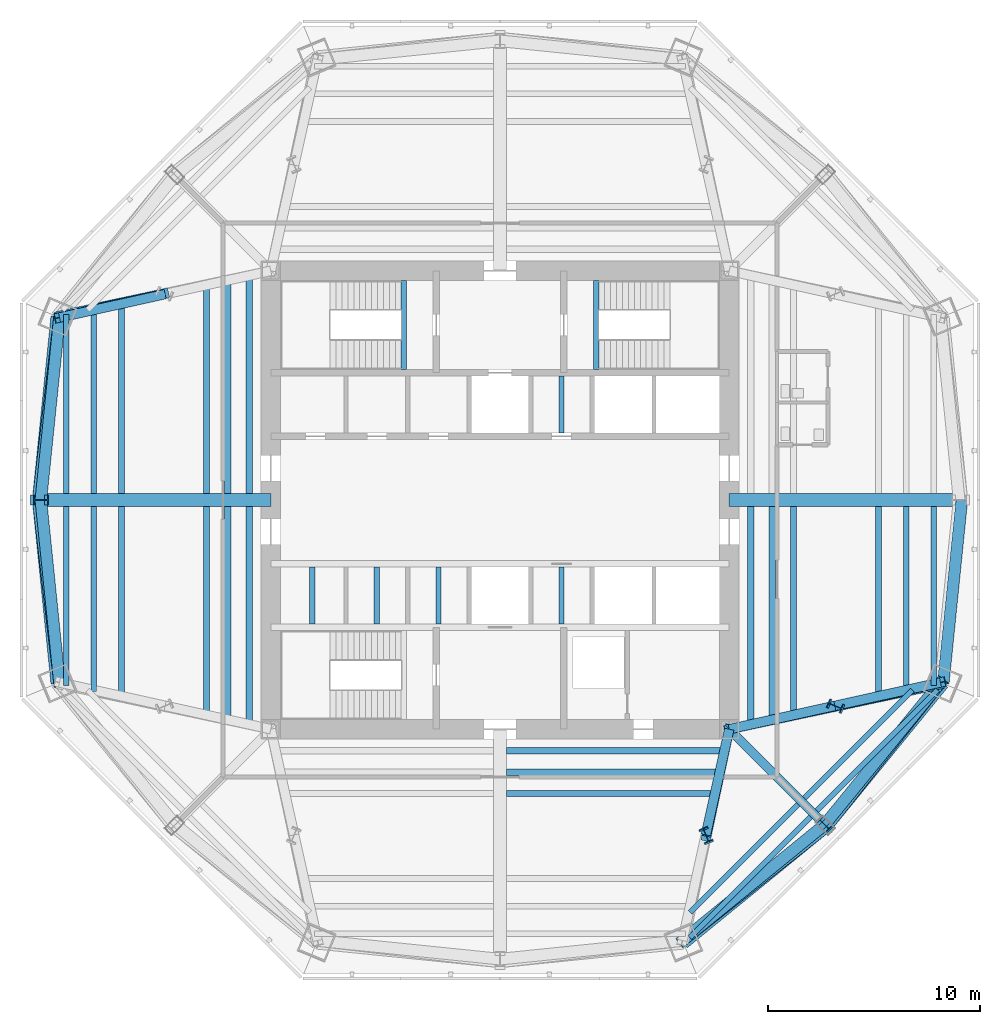
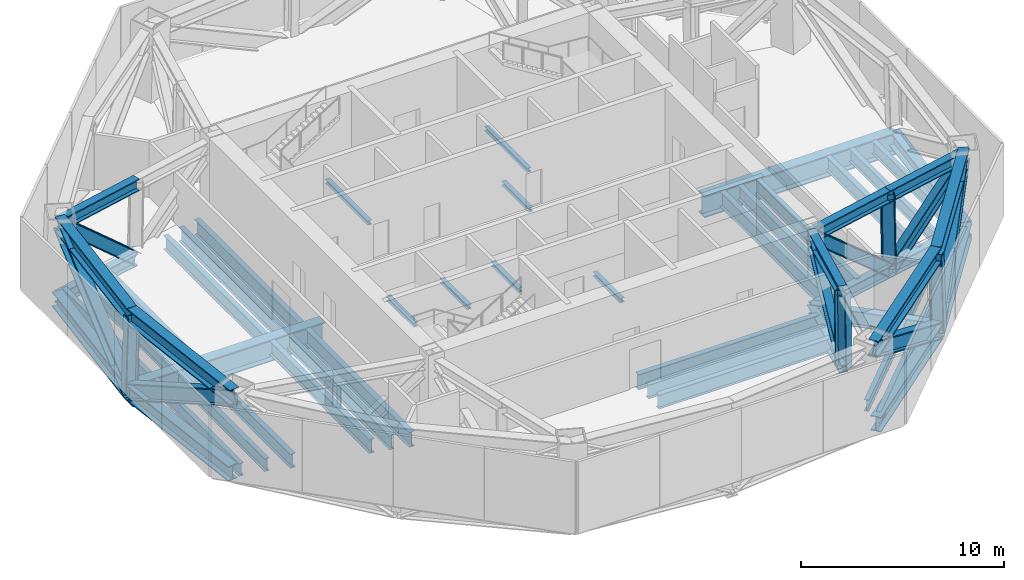
# One storey, part 2 of 10: 35 beams, 29 members.
"""IFC4 building model written with IfcOpenShell, lengths in metres."""

from ifc_helpers import new_model, si_unit, direction, frame, origin, origin_2d, place, context, subcontext, project, spatial, i_section, extrude, source, transform, mapped, material, material_profile, profile_set, type_object, type_shapes, element, save


model = new_model("IFC4")

# Units and contexts
model_context = context("Model", 3, precision=1e-05, world=origin(), true_north=direction((0.0, 1.0)))
body_context = subcontext(model_context, "Body", "Model", "MODEL_VIEW")
ifc_project = project(units=[si_unit("LENGTHUNIT", "METRE"), si_unit("AREAUNIT", "SQUARE_METRE"), si_unit("VOLUMEUNIT", "CUBIC_METRE"), si_unit("PLANEANGLEUNIT", "RADIAN"), si_unit("MASSUNIT", "GRAM", prefix="KILO")], contexts=[model_context])

# Site, building, storey
site_placement = place(None, origin())
site = spatial("IfcSite", under=ifc_project, at=site_placement, CompositionType="ELEMENT")
building_placement = place(site_placement, origin())
building = spatial("IfcBuilding", under=site, at=building_placement, Name="Mashrafa Tower", CompositionType="ELEMENT")
storey_placement = place(building_placement, frame((0.0, 0.0, 193.5)))
storey = spatial("IfcBuildingStorey", under=building, at=storey_placement, Name="L44", CompositionType="ELEMENT", Elevation=193.5)

# Beams
ifc_material_1 = material(Name="Steel ASTM A572 Gr 50", Category="steel")
ifc_material_profile_1 = material_profile(ifc_material_1, i_section(OverallWidth=0.60009765625, OverallDepth=1.300048828125, WebThickness=0.028076171875, FlangeThickness=0.06494140625, at=origin_2d()), Name="H1300X600X28X65")
ifc_profile_set_1 = profile_set([ifc_material_profile_1], Name="Steel ASTM A572 Gr 50")
beam_type_1 = type_object("IfcBeamType", Name="Beam H1300X600X28X65", PredefinedType="BEAM", material=ifc_profile_set_1)
for number, where, z_axis, x_axis, name in (
    (1, (-10.800048828125, 0.0, -0.89990234375), (-1.0, 0.0, 0.0), (0.0, -1.0, 0.0), "Radial girder L44 066"),
    (2, (10.800048828125, 0.0, -0.89990234375), (1.0, 0.0, 0.0), (0.0, 1.0, 0.0), "Radial girder L44 071"),
):
    element("IfcBeam", number, at=place(storey_placement, frame(where, z_axis=z_axis, x_axis=x_axis)), inside=storey, type_object=beam_type_1, Name=name, PredefinedType="BEAM", context=body_context, shape_type="SweptSolid", body=[
        extrude(i_section(OverallWidth=0.60009765625, OverallDepth=1.300048828125, WebThickness=0.028076171875, FlangeThickness=0.06494140625, at=origin_2d()), origin(), (0.0, 0.0, 1.0), 10.94775390625),
    ])
ifc_material_2 = material(Name="Steel ASTM A992", Category="steel")
ifc_material_profile_2 = material_profile(ifc_material_2, i_section(OverallWidth=0.256591796875, OverallDepth=0.693359375, WebThickness=0.014404296875, FlangeThickness=0.023681640625, FilletRadius=0.01513671875, at=origin_2d()), Name="W27X114")
ifc_profile_set_2 = profile_set([ifc_material_profile_2], Name="Steel ASTM A992")
beam_type_2 = type_object("IfcBeamType", Name="Beam W27X114", PredefinedType="BEAM", material=ifc_profile_set_2)
for number, where, z_axis, x_axis, name in (
    (3, (14.637451171875, -14.933837890625, -0.5966796875), (-0.707121966394, -0.707091595653, 0.0), (0.707091595653, -0.707121966394, 0.0), "Floor beam L44 055"),
    (4, (20.617919921875, -8.953125, -0.5966796875), (-0.707091595653, -0.707121966394, 0.0), (0.707121966394, -0.707091595653, 0.0), "Floor beam L44 064"),
):
    element("IfcBeam", number, at=place(storey_placement, frame(where, z_axis=z_axis, x_axis=x_axis)), inside=storey, type_object=beam_type_2, Name=name, PredefinedType="BEAM", context=body_context, shape_type="SweptSolid", body=[
        extrude(i_section(OverallWidth=0.256591796875, OverallDepth=0.693359375, WebThickness=0.014404296875, FlangeThickness=0.023681640625, FilletRadius=0.01513671875, at=origin_2d()), origin(), (0.0, 0.0, 1.0), 8.03857421875),
    ])
ifc_material_3 = material(Name="Steel ASTM A992", Category="steel")
ifc_material_profile_3 = material_profile(ifc_material_3, i_section(OverallWidth=0.25390625, OverallDepth=0.683349609375, WebThickness=0.012451171875, FlangeThickness=0.01904296875, FilletRadius=0.01513671875, at=origin_2d()), Name="W27X94")
ifc_profile_set_3 = profile_set([ifc_material_profile_3], Name="Steel ASTM A992")
beam_type_3 = type_object("IfcBeamType", Name="Beam W27X94", PredefinedType="BEAM", material=ifc_profile_set_3)
for number, where, z_axis, x_axis, name in (
    (5, (14.044921875, -14.34130859375, -0.591552734375), (-0.707123728633, -0.707089833334, 0.0), (0.707089833334, -0.707123728633, 0.0), "Floor beam L44 053"),
    (6, (19.434326171875, -8.95166015625, -0.591552734375), (-0.707089833334, -0.707123728633, 0.0), (0.707123728633, -0.707089833334, 0.0), "Floor beam L44 061"),
):
    element("IfcBeam", number, at=place(storey_placement, frame(where, z_axis=z_axis, x_axis=x_axis)), inside=storey, type_object=beam_type_3, Name=name, PredefinedType="BEAM", context=body_context, shape_type="SweptSolid", body=[
        extrude(i_section(OverallWidth=0.25390625, OverallDepth=0.683349609375, WebThickness=0.012451171875, FlangeThickness=0.01904296875, FilletRadius=0.01513671875, at=origin_2d()), origin(), (0.0, 0.0, 1.0), 7.202880859375),
    ])
ifc_material_4 = material(Name="Steel ASTM A992", Category="steel")
ifc_material_profile_4 = material_profile(ifc_material_4, i_section(OverallWidth=0.2666015625, OverallDepth=0.761962890625, WebThickness=0.014404296875, FlangeThickness=0.021484375, FilletRadius=0.0166015625, at=origin_2d()), Name="W30X116")
ifc_profile_set_4 = profile_set([ifc_material_profile_4], Name="Steel ASTM A992")
beam_type_4 = type_object("IfcBeamType", Name="Beam W30X116", PredefinedType="BEAM", material=ifc_profile_set_4)
for number, where, z_axis, x_axis, name in (
    (7, (-20.443603515625, -8.735595703125, -0.631103515625), (0.0, 1.0, 0.0), (-1.0, 0.0, 0.0), "Floor beam L44 002"),
    (8, (-20.443603515625, 0.300048828125, -0.631103515625), (0.0, 1.0, 0.0), (-1.0, 0.0, 0.0), "Floor beam L44 003"),
):
    element("IfcBeam", number, at=place(storey_placement, frame(where, z_axis=z_axis, x_axis=x_axis)), inside=storey, type_object=beam_type_4, Name=name, PredefinedType="BEAM", context=body_context, shape_type="SweptSolid", body=[
        extrude(i_section(OverallWidth=0.2666015625, OverallDepth=0.761962890625, WebThickness=0.014404296875, FlangeThickness=0.021484375, FilletRadius=0.0166015625, at=origin_2d()), origin(), (0.0, 0.0, 1.0), 8.435546875),
    ])
for number, where, z_axis, x_axis, name in (
    (9, (-19.139404296875, -9.014892578125, -0.631103515625), (0.0, 1.0, 0.0), (-1.0, 0.0, 0.0), "Floor beam L44 005"),
    (10, (-19.139404296875, 0.300048828125, -0.631103515625), (0.0, 1.0, 0.0), (-1.0, 0.0, 0.0), "Floor beam L44 006"),
    (11, (19.139404296875, -0.300048828125, -0.631103515625), (0.0, -1.0, 0.0), (1.0, 0.0, 0.0), "Floor beam L44 059"),
):
    element("IfcBeam", number, at=place(storey_placement, frame(where, z_axis=z_axis, x_axis=x_axis)), inside=storey, type_object=beam_type_4, Name=name, PredefinedType="BEAM", context=body_context, shape_type="SweptSolid", body=[
        extrude(i_section(OverallWidth=0.2666015625, OverallDepth=0.761962890625, WebThickness=0.014404296875, FlangeThickness=0.021484375, FilletRadius=0.0166015625, at=origin_2d()), origin(), (0.0, 0.0, 1.0), 8.71484375),
    ])
beam_1_placement = place(storey_placement, frame((20.443603515625, -0.300048828125, -0.631103515625), z_axis=(0.0, -1.0, 0.0), x_axis=(1.0, 0.0, 0.0)))
element("IfcBeam", 12, at=beam_1_placement, inside=storey, type_object=beam_type_4, Name="Floor beam L44 062", PredefinedType="BEAM", context=body_context, shape_type="SweptSolid", body=[
    extrude(i_section(OverallWidth=0.2666015625, OverallDepth=0.761962890625, WebThickness=0.014404296875, FlangeThickness=0.021484375, FilletRadius=0.0166015625, at=origin_2d()), origin(), (0.0, 0.0, 1.0), 8.435546875),
])
ifc_material_5 = material(Name="Steel ASTM A992", Category="steel")
ifc_material_profile_5 = material_profile(ifc_material_5, i_section(OverallWidth=0.2919921875, OverallDepth=0.8408203125, WebThickness=0.0146484375, FlangeThickness=0.021728515625, FilletRadius=0.017333984375, at=origin_2d()), Name="W33X130")
ifc_profile_set_5 = profile_set([ifc_material_profile_5], Name="Steel ASTM A992")
beam_type_5 = type_object("IfcBeamType", Name="Beam W33X130", PredefinedType="BEAM", material=ifc_profile_set_5)
for number, where, z_axis, x_axis, name in (
    (13, (-17.8349609375, -9.294189453125, -0.67041015625), (0.0, 1.0, 0.0), (-1.0, 0.0, 0.0), "Floor beam L44 007"),
    (14, (-17.8349609375, 0.300048828125, -0.67041015625), (0.0, 1.0, 0.0), (-1.0, 0.0, 0.0), "Floor beam L44 008"),
    (15, (17.8349609375, -0.300048828125, -0.67041015625), (0.0, -1.0, 0.0), (1.0, 0.0, 0.0), "Floor beam L44 057"),
):
    element("IfcBeam", number, at=place(storey_placement, frame(where, z_axis=z_axis, x_axis=x_axis)), inside=storey, type_object=beam_type_5, Name=name, PredefinedType="BEAM", context=body_context, shape_type="SweptSolid", body=[
        extrude(i_section(OverallWidth=0.2919921875, OverallDepth=0.8408203125, WebThickness=0.0146484375, FlangeThickness=0.021728515625, FilletRadius=0.017333984375, at=origin_2d()), origin(), (0.0, 0.0, 1.0), 8.994140625),
    ])
ifc_material_6 = material(Name="Steel ASTM A992", Category="steel")
ifc_material_profile_6 = material_profile(ifc_material_6, i_section(OverallWidth=0.2919921875, OverallDepth=0.845703125, WebThickness=0.015380859375, FlangeThickness=0.0244140625, FilletRadius=0.017333984375, at=origin_2d()), Name="W33X141")
ifc_profile_set_6 = profile_set([ifc_material_profile_6], Name="Steel ASTM A992")
beam_type_6 = type_object("IfcBeamType", Name="Beam W33X141", PredefinedType="BEAM", material=ifc_profile_set_6)
for number, where, z_axis, x_axis, name in (
    (16, (-13.8349609375, -10.150390625, -0.6728515625), (0.0, 1.0, 0.0), (-1.0, 0.0, 0.0), "Floor beam L44 013"),
    (17, (-13.8349609375, 0.300048828125, -0.6728515625), (0.0, 1.0, 0.0), (-1.0, 0.0, 0.0), "Floor beam L44 014"),
):
    element("IfcBeam", number, at=place(storey_placement, frame(where, z_axis=z_axis, x_axis=x_axis)), inside=storey, type_object=beam_type_6, Name=name, PredefinedType="BEAM", context=body_context, shape_type="SweptSolid", body=[
        extrude(i_section(OverallWidth=0.2919921875, OverallDepth=0.845703125, WebThickness=0.015380859375, FlangeThickness=0.0244140625, FilletRadius=0.017333984375, at=origin_2d()), origin(), (0.0, 0.0, 1.0), 9.850341796875),
    ])
for number, where, z_axis, x_axis, name in (
    (18, (-12.8232421875, -10.366943359375, -0.6728515625), (0.0, 1.0, 0.0), (-1.0, 0.0, 0.0), "Floor beam L44 015"),
    (19, (-12.8232421875, 0.300048828125, -0.6728515625), (0.0, 1.0, 0.0), (-1.0, 0.0, 0.0), "Floor beam L44 016"),
):
    element("IfcBeam", number, at=place(storey_placement, frame(where, z_axis=z_axis, x_axis=x_axis)), inside=storey, type_object=beam_type_6, Name=name, PredefinedType="BEAM", context=body_context, shape_type="SweptSolid", body=[
        extrude(i_section(OverallWidth=0.2919921875, OverallDepth=0.845703125, WebThickness=0.015380859375, FlangeThickness=0.0244140625, FilletRadius=0.017333984375, at=origin_2d()), origin(), (0.0, 0.0, 1.0), 10.06689453125),
    ])
beam_2_placement = place(storey_placement, frame((10.150390625, -13.8349609375, -0.6728515625), z_axis=(-1.0, 0.0, 0.0), x_axis=(0.0, -1.0, 0.0)))
element("IfcBeam", 20, at=beam_2_placement, inside=storey, type_object=beam_type_6, Name="Floor beam L44 044", PredefinedType="BEAM", context=body_context, shape_type="SweptSolid", body=[
    extrude(i_section(OverallWidth=0.2919921875, OverallDepth=0.845703125, WebThickness=0.015380859375, FlangeThickness=0.0244140625, FilletRadius=0.017333984375, at=origin_2d()), origin(), (0.0, 0.0, 1.0), 9.850341796875),
])
for number, where, z_axis, x_axis, name in (
    (21, (10.366943359375, -12.8232421875, -0.6728515625), (-1.0, 0.0, 0.0), (0.0, -1.0, 0.0), "Floor beam L44 045"),
    (22, (12.8232421875, -0.300048828125, -0.6728515625), (0.0, -1.0, 0.0), (1.0, 0.0, 0.0), "Floor beam L44 049"),
):
    element("IfcBeam", number, at=place(storey_placement, frame(where, z_axis=z_axis, x_axis=x_axis)), inside=storey, type_object=beam_type_6, Name=name, PredefinedType="BEAM", context=body_context, shape_type="SweptSolid", body=[
        extrude(i_section(OverallWidth=0.2919921875, OverallDepth=0.845703125, WebThickness=0.015380859375, FlangeThickness=0.0244140625, FilletRadius=0.017333984375, at=origin_2d()), origin(), (0.0, 0.0, 1.0), 10.06689453125),
    ])
beam_3_placement = place(storey_placement, frame((13.8349609375, -0.300048828125, -0.6728515625), z_axis=(0.0, -1.0, 0.0), x_axis=(1.0, 0.0, 0.0)))
element("IfcBeam", 23, at=beam_3_placement, inside=storey, type_object=beam_type_6, Name="Floor beam L44 051", PredefinedType="BEAM", context=body_context, shape_type="SweptSolid", body=[
    extrude(i_section(OverallWidth=0.2919921875, OverallDepth=0.845703125, WebThickness=0.015380859375, FlangeThickness=0.0244140625, FilletRadius=0.017333984375, at=origin_2d()), origin(), (0.0, 0.0, 1.0), 9.850341796875),
])
ifc_material_7 = material(Name="Steel ASTM A992", Category="steel")
ifc_material_profile_7 = material_profile(ifc_material_7, i_section(OverallWidth=0.3046875, OverallDepth=0.911865234375, WebThickness=0.015869140625, FlangeThickness=0.02392578125, FilletRadius=0.01904296875, at=origin_2d()), Name="W36X150")
ifc_profile_set_7 = profile_set([ifc_material_profile_7], Name="Steel ASTM A992")
beam_type_7 = type_object("IfcBeamType", Name="Beam W36X150", PredefinedType="BEAM", material=ifc_profile_set_7)
for number, where, z_axis, x_axis, name in (
    (24, (-11.811767578125, -10.58349609375, -0.705810546875), (0.0, 1.0, 0.0), (-1.0, 0.0, 0.0), "Floor beam L44 017"),
    (25, (-11.811767578125, 0.300048828125, -0.705810546875), (0.0, 1.0, 0.0), (-1.0, 0.0, 0.0), "Floor beam L44 018"),
    (26, (10.58349609375, -11.811767578125, -0.705810546875), (-1.0, 0.0, 0.0), (0.0, -1.0, 0.0), "Floor beam L44 046"),
    (27, (11.811767578125, -0.300048828125, -0.705810546875), (0.0, -1.0, 0.0), (1.0, 0.0, 0.0), "Floor beam L44 047"),
):
    element("IfcBeam", number, at=place(storey_placement, frame(where, z_axis=z_axis, x_axis=x_axis)), inside=storey, type_object=beam_type_7, Name=name, PredefinedType="BEAM", context=body_context, shape_type="SweptSolid", body=[
        extrude(i_section(OverallWidth=0.3046875, OverallDepth=0.911865234375, WebThickness=0.015869140625, FlangeThickness=0.02392578125, FilletRadius=0.01904296875, at=origin_2d()), origin(), (0.0, 0.0, 1.0), 10.283447265625),
    ])
ifc_material_8 = material(Name="Steel ASTM A992", Category="steel")
ifc_material_profile_8 = material_profile(ifc_material_8, i_section(OverallWidth=0.419189453125, OverallDepth=0.927001953125, WebThickness=0.019287109375, FlangeThickness=0.031982421875, FilletRadius=0.020263671875, at=origin_2d()), Name="W36X231")
ifc_profile_set_8 = profile_set([ifc_material_profile_8], Name="Steel ASTM A992")
beam_type_8 = type_object("IfcBeamType", Name="Beam W36X231", PredefinedType="BEAM", material=ifc_profile_set_8)
beam_4_placement = place(storey_placement, frame((10.800048828125, -10.800048828125, -0.713623046875), z_axis=(0.707106781187, -0.707106781187, 0.0), x_axis=(0.707106781187, 0.707106781187, 0.0)))
element("IfcBeam", 28, at=beam_4_placement, inside=storey, type_object=beam_type_8, Name="Radial girder L44 070", PredefinedType="BEAM", context=body_context, shape_type="SweptSolid", body=[
    extrude(i_section(OverallWidth=0.419189453125, OverallDepth=0.927001953125, WebThickness=0.019287109375, FlangeThickness=0.031982421875, FilletRadius=0.020263671875, at=origin_2d()), origin(), (0.0, 0.0, 1.0), 6.474365234375),
])
ifc_material_9 = material(Name="Steel ASTM A992", Category="steel")
ifc_material_profile_9 = material_profile(ifc_material_9, i_section(OverallWidth=0.25390625, OverallDepth=0.25390625, WebThickness=0.008544921875, FlangeThickness=0.01416015625, FilletRadius=0.010009765625, at=origin_2d()), Name="W10X49")
ifc_profile_set_9 = profile_set([ifc_material_profile_9], Name="Steel ASTM A992")
beam_type_9 = type_object("IfcBeamType", Name="Hoistway beam W10X49", PredefinedType="BEAM", material=ifc_profile_set_9)
for number, where, z_axis, x_axis, name in (
    (29, (2.89990234375, 3.14990234375, -0.376953125), (0.0, 1.0, 0.0), (-1.0, 0.0, 0.0), "Hoistway beam L44 06"),
    (30, (2.89990234375, -5.85009765625, -0.376953125), (0.0, 1.0, 0.0), (-1.0, 0.0, 0.0), "Hoistway beam L44 07"),
    (31, (-8.85009765625, -5.85009765625, 2.27294921875), (0.0, 1.0, 0.0), (-1.0, 0.0, 0.0), "Hoistway beam under lift pit AL1"),
    (32, (-5.800048828125, -5.85009765625, 2.27294921875), (0.0, 1.0, 0.0), (-1.0, 0.0, 0.0), "Hoistway beam under lift pit AL2"),
    (33, (-2.89990234375, -5.85009765625, 2.27294921875), (0.0, 1.0, 0.0), (-1.0, 0.0, 0.0), "Hoistway beam under lift pit AL3"),
):
    element("IfcBeam", number, at=place(storey_placement, frame(where, z_axis=z_axis, x_axis=x_axis)), inside=storey, type_object=beam_type_9, Name=name, PredefinedType="BEAM", context=body_context, shape_type="SweptSolid", body=[
        extrude(i_section(OverallWidth=0.25390625, OverallDepth=0.25390625, WebThickness=0.008544921875, FlangeThickness=0.01416015625, FilletRadius=0.010009765625, at=origin_2d()), origin(), (0.0, 0.0, 1.0), 2.7001953125),
    ])
for number, where, z_axis, x_axis, name in (
    (34, (-4.530029296875, 6.14990234375, -0.376953125), (0.0, 1.0, 0.0), (-1.0, 0.0, 0.0), "Stair S1 landing beam L44"),
    (35, (4.530029296875, 6.14990234375, -0.376953125), (0.0, 1.0, 0.0), (-1.0, 0.0, 0.0), "Stair S2 landing beam L44"),
):
    element("IfcBeam", number, at=place(storey_placement, frame(where, z_axis=z_axis, x_axis=x_axis)), inside=storey, type_object=beam_type_9, Name=name, PredefinedType="BEAM", context=body_context, shape_type="SweptSolid", body=[
        extrude(i_section(OverallWidth=0.25390625, OverallDepth=0.25390625, WebThickness=0.008544921875, FlangeThickness=0.01416015625, FilletRadius=0.010009765625, at=origin_2d()), origin(), (0.0, 0.0, 1.0), 4.2001953125),
    ])

# Members
ifc_material_10 = material(Name="Steel ASTM A572 Gr 50", Category="steel")
ifc_material_profile_10 = material_profile(ifc_material_10, i_section(OverallWidth=0.449951171875, OverallDepth=0.699951171875, WebThickness=0.028076171875, FlangeThickness=0.044921875, at=origin_2d()), Name="H700X450X28X45")
ifc_profile_set_10 = profile_set([ifc_material_profile_10], Name="Steel ASTM A572 Gr 50")
member_type_1 = type_object("IfcMemberType", Name="Outrigger post H700X450X28X45", PredefinedType="POST", material=ifc_profile_set_10)
shared_shape_1 = source(origin(), body_context, "Body", "SweptSolid", [
    extrude(i_section(OverallWidth=0.449951171875, OverallDepth=0.699951171875, WebThickness=0.028076171875, FlangeThickness=0.044921875, at=origin_2d()), origin(), (0.0, 0.0, 1.0), 4.50048828125),
])
type_shapes(member_type_1, [shared_shape_1])
for number, where, z_axis, x_axis, name in (
    (36, (9.724853515625, -15.84130859375, -0.699951171875), (-0.005858687107, 0.014158493841, 0.999882599527), (-0.924016832422, -0.382351792726, 0.0), "Outrigger post MC7 L44"),
    (37, (15.84130859375, -9.724853515625, -0.699951171875), (-0.014158493841, 0.005858687107, 0.999882599527), (-0.382351792726, -0.924016832422, 0.0), "Outrigger post MC8 L44"),
):
    element("IfcMember", number, at=place(storey_placement, frame(where, z_axis=z_axis, x_axis=x_axis)), inside=storey, type_object=member_type_1, Name=name, PredefinedType="POST", context=body_context, shape_type="MappedRepresentation", body=[
        mapped(shared_shape_1, transform((0.0, 0.0, 0.0))),
    ])
ifc_material_11 = material(Name="Steel ASTM A572 Gr 50", Category="steel")
ifc_material_profile_11 = material_profile(ifc_material_11, i_section(OverallWidth=0.550048828125, OverallDepth=0.89990234375, WebThickness=0.034912109375, FlangeThickness=0.06005859375, at=origin_2d()), Name="H900X550X35X60")
ifc_profile_set_11 = profile_set([ifc_material_profile_11], Name="Steel ASTM A572 Gr 50")
member_type_2 = type_object("IfcMemberType", Name="Belt truss chord H900X550X35X60", PredefinedType="CHORD", material=ifc_profile_set_11)
shared_shape_2 = source(origin(), body_context, "Body", "SweptSolid", [
    extrude(i_section(OverallWidth=0.550048828125, OverallDepth=0.89990234375, WebThickness=0.034912109375, FlangeThickness=0.06005859375, at=origin_2d()), origin(), (0.0, 0.0, 1.0), 8.6943359375),
])
for number, where, z_axis, x_axis, name in (
    (38, (20.882568359375, -8.64990234375, -0.699951171875), (0.101004930083, 0.994885925169, 0.0), (-0.994885925169, 0.101004930083, 0.0), "Belt truss bottom chord east face L44 right"),
    (39, (-20.882568359375, 8.64990234375, -0.699951171875), (-0.101004930083, -0.994885925169, 0.0), (0.994885925169, -0.101004930083, 0.0), "Belt truss bottom chord west face L44 right"),
    (40, (-20.882568359375, -8.64990234375, -0.699951171875), (-0.101004930083, 0.994885925169, 0.0), (-0.994885925169, -0.101004930083, 0.0), "Belt truss bottom chord west face L44 left"),
    (41, (8.64990234375, -20.882568359375, -0.699951171875), (0.774913520364, 0.632067271702, 0.0), (-0.632067271702, 0.774913520364, 0.0), "Belt truss bottom chord south-east face L44 right"),
    (42, (20.882568359375, -8.64990234375, -0.699951171875), (-0.632067271702, -0.774913520364, 0.0), (0.774913520364, -0.632067271702, 0.0), "Belt truss bottom chord south-east face L44 left"),
):
    element("IfcMember", number, at=place(storey_placement, frame(where, z_axis=z_axis, x_axis=x_axis)), inside=storey, type_object=member_type_2, Name=name, PredefinedType="CHORD", context=body_context, shape_type="MappedRepresentation", body=[
        mapped(shared_shape_2, transform((0.0, 0.0, 0.0))),
    ])
shared_shape_3 = source(origin(), body_context, "Body", "SweptSolid", [
    extrude(i_section(OverallWidth=0.550048828125, OverallDepth=0.89990234375, WebThickness=0.034912109375, FlangeThickness=0.06005859375, at=origin_2d()), origin(), (0.0, 0.0, 1.0), 8.641845703125),
])
for number, where, z_axis, x_axis, name in (
    (43, (-20.755126953125, 8.59716796875, 3.800048828125), (-0.10161810826, -0.994823481867, 0.0), (0.994823481867, -0.10161810826, 0.0), "Belt truss top chord west face L44 right"),
    (44, (-20.755126953125, -8.59716796875, 3.800048828125), (-0.10161810826, 0.994823481867, 0.0), (-0.994823481867, -0.10161810826, 0.0), "Belt truss top chord west face L44 left"),
):
    element("IfcMember", number, at=place(storey_placement, frame(where, z_axis=z_axis, x_axis=x_axis)), inside=storey, type_object=member_type_2, Name=name, PredefinedType="CHORD", context=body_context, shape_type="MappedRepresentation", body=[
        mapped(shared_shape_3, transform((0.0, 0.0, 0.0))),
    ])
ifc_material_12 = material(Name="Steel ASTM A572 Gr 50", Category="steel")
ifc_material_profile_12 = material_profile(ifc_material_12, i_section(OverallWidth=0.449951171875, OverallDepth=0.699951171875, WebThickness=0.028076171875, FlangeThickness=0.044921875, at=origin_2d()), Name="H700X450X28X45")
ifc_profile_set_12 = profile_set([ifc_material_profile_12], Name="Steel ASTM A572 Gr 50")
member_type_3 = type_object("IfcMemberType", Name="Belt truss post H700X450X28X45", PredefinedType="POST", material=ifc_profile_set_12)
shared_shape_4 = source(origin(), body_context, "Body", "SweptSolid", [
    extrude(i_section(OverallWidth=0.449951171875, OverallDepth=0.699951171875, WebThickness=0.028076171875, FlangeThickness=0.044921875, at=origin_2d()), origin(), (0.0, 0.0, 1.0), 4.501708984375),
])
type_shapes(member_type_3, [shared_shape_4])
for number, where, z_axis, x_axis, name in (
    (45, (-21.7607421875, 0.0, -0.699951171875), (0.028308962314, 0.0, 0.999599221014), (0.0, 1.0, 0.0), "Belt truss post west face L44"),
    (46, (15.38720703125, -15.38720703125, -0.699951171875), (-0.02001151261, 0.02001151261, 0.999599459147), (-0.707106781187, -0.707106781187, 0.0), "Belt truss post south-east face L44"),
):
    element("IfcMember", number, at=place(storey_placement, frame(where, z_axis=z_axis, x_axis=x_axis)), inside=storey, type_object=member_type_3, Name=name, PredefinedType="POST", context=body_context, shape_type="MappedRepresentation", body=[
        mapped(shared_shape_4, transform((0.0, 0.0, 0.0))),
    ])
ifc_material_13 = material(Name="Steel ASTM A572 Gr 50", Category="steel")
ifc_material_profile_13 = material_profile(ifc_material_13, i_section(OverallWidth=0.550048828125, OverallDepth=0.89990234375, WebThickness=0.034912109375, FlangeThickness=0.06005859375, at=origin_2d()), Name="H900X550X35X60")
ifc_profile_set_13 = profile_set([ifc_material_profile_13], Name="Steel ASTM A572 Gr 50")
member_type_4 = type_object("IfcMemberType", Name="Belt truss diagonal H900X550X35X60", PredefinedType="BRACE", material=ifc_profile_set_13)
shared_shape_5 = source(origin(), body_context, "Body", "SweptSolid", [
    extrude(i_section(OverallWidth=0.550048828125, OverallDepth=0.89990234375, WebThickness=0.034912109375, FlangeThickness=0.06005859375, at=origin_2d()), origin(), (0.0, 0.0, 1.0), 9.755615234375),
])
for number, where, z_axis, x_axis, name in (
    (47, (-21.7607421875, 0.0, -0.699951171875), (0.103080370394, 0.881250828609, 0.461271519081), (-0.993228357408, 0.116178440511, 0.0), "Belt truss diagonal west face L44 right"),
    (48, (-21.7607421875, 0.0, -0.699951171875), (0.103080370394, -0.881250828609, 0.461271519081), (0.993228357408, 0.116178440511, 0.0), "Belt truss diagonal west face L44 left"),
):
    element("IfcMember", number, at=place(storey_placement, frame(where, z_axis=z_axis, x_axis=x_axis)), inside=storey, type_object=member_type_4, Name=name, PredefinedType="BRACE", context=body_context, shape_type="MappedRepresentation", body=[
        mapped(shared_shape_5, transform((0.0, 0.0, 0.0))),
    ])
shared_shape_6 = source(origin(), body_context, "Body", "SweptSolid", [
    extrude(i_section(OverallWidth=0.550048828125, OverallDepth=0.89990234375, WebThickness=0.034912109375, FlangeThickness=0.06005859375, at=origin_2d()), origin(), (0.0, 0.0, 1.0), 8.6416015625),
])
type_shapes(member_type_2, [shared_shape_2, shared_shape_3, shared_shape_6])
for number, where, z_axis, x_axis, name in (
    (49, (8.59716796875, -20.755126953125, 3.800048828125), (0.77530364143, 0.63158868228, 0.0), (-0.63158868228, 0.77530364143, 0.0), "Belt truss top chord south-east face L44 right"),
    (50, (20.755126953125, -8.59716796875, 3.800048828125), (-0.63158868228, -0.77530364143, 0.0), (0.77530364143, -0.63158868228, 0.0), "Belt truss top chord south-east face L44 left"),
):
    element("IfcMember", number, at=place(storey_placement, frame(where, z_axis=z_axis, x_axis=x_axis)), inside=storey, type_object=member_type_2, Name=name, PredefinedType="CHORD", context=body_context, shape_type="MappedRepresentation", body=[
        mapped(shared_shape_6, transform((0.0, 0.0, 0.0))),
    ])
shared_shape_7 = source(origin(), body_context, "Body", "SweptSolid", [
    extrude(i_section(OverallWidth=0.550048828125, OverallDepth=0.89990234375, WebThickness=0.034912109375, FlangeThickness=0.06005859375, at=origin_2d()), origin(), (0.0, 0.0, 1.0), 9.75537109375),
])
type_shapes(member_type_4, [shared_shape_5, shared_shape_7])
for number, where, z_axis, x_axis, name in (
    (51, (15.38720703125, -15.38720703125, -0.699951171875), (-0.696023776232, -0.550247187114, 0.46127967221), (0.62016817801, -0.78446888465, 0.0), "Belt truss diagonal south-east face L44 right"),
    (52, (15.38720703125, -15.38720703125, -0.699951171875), (0.550247187114, 0.696023776232, 0.46127967221), (-0.78446888465, 0.62016817801, 0.0), "Belt truss diagonal south-east face L44 left"),
):
    element("IfcMember", number, at=place(storey_placement, frame(where, z_axis=z_axis, x_axis=x_axis)), inside=storey, type_object=member_type_4, Name=name, PredefinedType="BRACE", context=body_context, shape_type="MappedRepresentation", body=[
        mapped(shared_shape_7, transform((0.0, 0.0, 0.0))),
    ])
ifc_material_14 = material(Name="Steel ASTM A572 Gr 50", Category="steel")
ifc_material_profile_14 = material_profile(ifc_material_14, i_section(OverallWidth=0.449951171875, OverallDepth=0.699951171875, WebThickness=0.028076171875, FlangeThickness=0.044921875, at=origin_2d()), Name="H700X450X28X45")
ifc_profile_set_14 = profile_set([ifc_material_profile_14], Name="Steel ASTM A572 Gr 50")
member_type_5 = type_object("IfcMemberType", Name="Outrigger chord H700X450X28X45", PredefinedType="CHORD", material=ifc_profile_set_14)
shared_shape_8 = source(origin(), body_context, "Body", "SweptSolid", [
    extrude(i_section(OverallWidth=0.449951171875, OverallDepth=0.699951171875, WebThickness=0.028076171875, FlangeThickness=0.044921875, at=origin_2d()), origin(), (0.0, 0.0, 1.0), 5.154541015625),
])
for number, where, z_axis, x_axis, name in (
    (53, (-15.84130859375, 9.724853515625, -0.699951171875), (-0.97801332028, -0.208542430587, 0.0), (0.208542430587, -0.97801332028, 0.0), "Outrigger bottom chord MC4 L44 column end"),
    (54, (10.800048828125, -10.800048828125, -0.699951171875), (-0.208587733784, -0.978003659152, 0.0), (0.978003659152, -0.208587733784, 0.0), "Outrigger bottom chord MC7 L44 core end"),
    (55, (10.800048828125, -10.800048828125, -0.699951171875), (0.978003659152, 0.208587733784, 0.0), (-0.208587733784, 0.978003659152, 0.0), "Outrigger bottom chord MC8 L44 core end"),
    (56, (15.84130859375, -9.724853515625, -0.699951171875), (0.97801332028, 0.208542430587, 0.0), (-0.208542430587, 0.97801332028, 0.0), "Outrigger bottom chord MC8 L44 column end"),
):
    element("IfcMember", number, at=place(storey_placement, frame(where, z_axis=z_axis, x_axis=x_axis)), inside=storey, type_object=member_type_5, Name=name, PredefinedType="CHORD", context=body_context, shape_type="MappedRepresentation", body=[
        mapped(shared_shape_8, transform((0.0, 0.0, 0.0))),
    ])
shared_shape_9 = source(origin(), body_context, "Body", "SweptSolid", [
    extrude(i_section(OverallWidth=0.449951171875, OverallDepth=0.699951171875, WebThickness=0.028076171875, FlangeThickness=0.044921875, at=origin_2d()), origin(), (0.0, 0.0, 1.0), 5.097900390625),
])
type_shapes(member_type_5, [shared_shape_8, shared_shape_9])
for number, where, z_axis, x_axis, name in (
    (57, (-15.777587890625, 9.698486328125, 3.800048828125), (-0.976386096329, -0.216032846799, 0.0), (0.216032846799, -0.976386096329, 0.0), "Outrigger top chord MC4 L44 column end"),
    (58, (10.800048828125, -10.800048828125, 3.800048828125), (-0.216078501278, -0.976375993808, 0.0), (0.976375993808, -0.216078501278, 0.0), "Outrigger top chord MC7 L44 core end"),
    (59, (10.800048828125, -10.800048828125, 3.800048828125), (0.976375993808, 0.216078501278, 0.0), (-0.216078501278, 0.976375993808, 0.0), "Outrigger top chord MC8 L44 core end"),
    (60, (15.777587890625, -9.698486328125, 3.800048828125), (0.976386096329, 0.216032846799, 0.0), (-0.216032846799, 0.976386096329, 0.0), "Outrigger top chord MC8 L44 column end"),
):
    element("IfcMember", number, at=place(storey_placement, frame(where, z_axis=z_axis, x_axis=x_axis)), inside=storey, type_object=member_type_5, Name=name, PredefinedType="CHORD", context=body_context, shape_type="MappedRepresentation", body=[
        mapped(shared_shape_9, transform((0.0, 0.0, 0.0))),
    ])
ifc_material_15 = material(Name="Steel ASTM A572 Gr 50", Category="steel")
ifc_material_profile_15 = material_profile(ifc_material_15, i_section(OverallWidth=0.449951171875, OverallDepth=0.699951171875, WebThickness=0.028076171875, FlangeThickness=0.044921875, at=origin_2d()), Name="H700X450X28X45")
ifc_profile_set_15 = profile_set([ifc_material_profile_15], Name="Steel ASTM A572 Gr 50")
member_type_6 = type_object("IfcMemberType", Name="Outrigger diagonal H700X450X28X45", PredefinedType="BRACE", material=ifc_profile_set_15)
shared_shape_10 = source(origin(), body_context, "Body", "SweptSolid", [
    extrude(i_section(OverallWidth=0.449951171875, OverallDepth=0.699951171875, WebThickness=0.028076171875, FlangeThickness=0.044921875, at=origin_2d()), origin(), (0.0, 0.0, 1.0), 6.842529296875),
])
for number, where, z_axis, x_axis, name in (
    (61, (9.724853515625, -15.84130859375, -0.699951171875), (0.157133960783, 0.736752760266, 0.65765058246), (-0.978003659152, 0.208587733784, 0.0), "Outrigger diagonal MC7 L44 core end"),
    (62, (15.84130859375, -9.724853515625, -0.699951171875), (-0.736752760266, -0.157133960783, 0.65765058246), (0.208587733784, -0.978003659152, 0.0), "Outrigger diagonal MC8 L44 core end"),
):
    element("IfcMember", number, at=place(storey_placement, frame(where, z_axis=z_axis, x_axis=x_axis)), inside=storey, type_object=member_type_6, Name=name, PredefinedType="BRACE", context=body_context, shape_type="MappedRepresentation", body=[
        mapped(shared_shape_10, transform((0.0, 0.0, 0.0))),
    ])
shared_shape_11 = source(origin(), body_context, "Body", "SweptSolid", [
    extrude(i_section(OverallWidth=0.449951171875, OverallDepth=0.699951171875, WebThickness=0.028076171875, FlangeThickness=0.044921875, at=origin_2d()), origin(), (0.0, 0.0, 1.0), 6.7578125),
])
type_shapes(member_type_6, [shared_shape_10, shared_shape_11])
for number, where, z_axis, x_axis, name in (
    (63, (-15.84130859375, 9.724853515625, -0.699951171875), (-0.727137427768, -0.166872747, 0.66590137967), (0.223678082043, -0.974663077999, 0.0), "Outrigger diagonal MC4 L44 column end"),
    (64, (15.84130859375, -9.724853515625, -0.699951171875), (0.727137427768, 0.166872747, 0.66590137967), (-0.223678082043, 0.974663077999, 0.0), "Outrigger diagonal MC8 L44 column end"),
):
    element("IfcMember", number, at=place(storey_placement, frame(where, z_axis=z_axis, x_axis=x_axis)), inside=storey, type_object=member_type_6, Name=name, PredefinedType="BRACE", context=body_context, shape_type="MappedRepresentation", body=[
        mapped(shared_shape_11, transform((0.0, 0.0, 0.0))),
    ])

save(model, "model.ifc")
